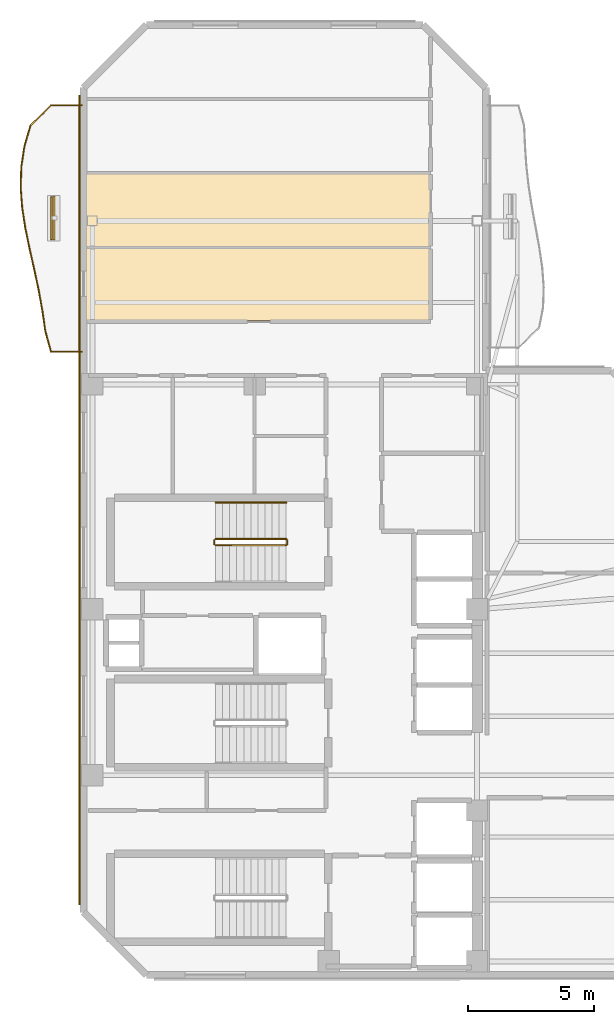
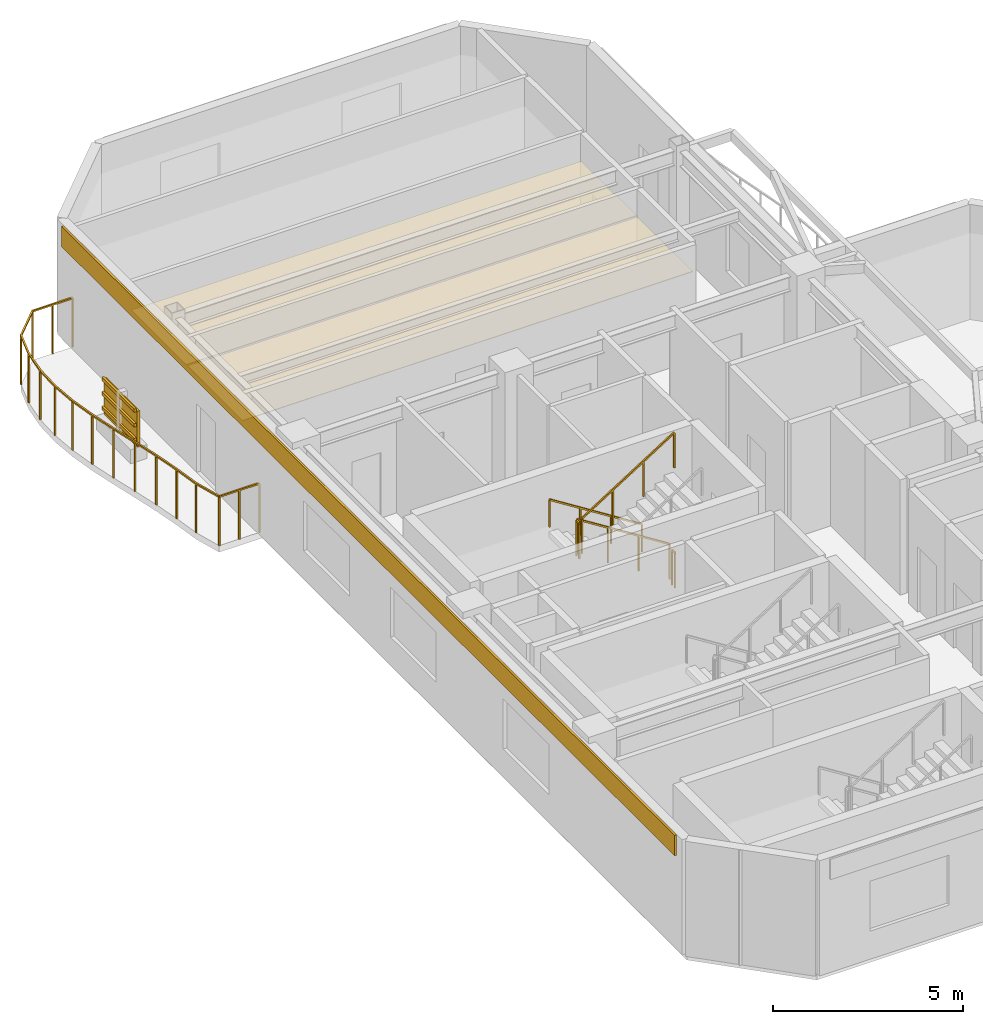
# One storey, part 7 of 8: 6 railings, 4 shading devices, 3 coverings.
"""IFC4 building model written with IfcOpenShell, lengths in metres."""

from ifc_helpers import new_model, si_unit, direction, frame, origin, origin_2d, place, context, subcontext, project, spatial, polyline, rectangle, outline, extrude, material, layer, layer_set, material_profile, profile_set, type_object, element, save


model = new_model("IFC4")

# Units and contexts
model_context = context("Model", 3, precision=1e-05, world=origin(), true_north=direction((0.0, 1.0)))
body_context = subcontext(model_context, "Body", "Model", "MODEL_VIEW")
ifc_project = project(units=[si_unit("LENGTHUNIT", "METRE"), si_unit("AREAUNIT", "SQUARE_METRE"), si_unit("VOLUMEUNIT", "CUBIC_METRE"), si_unit("PLANEANGLEUNIT", "RADIAN"), si_unit("MASSUNIT", "GRAM", prefix="KILO")], contexts=[model_context])

# Site, building, storey
site_placement = place(None, origin())
site = spatial("IfcSite", under=ifc_project, at=site_placement, CompositionType="ELEMENT")
building_placement = place(site_placement, origin())
building = spatial("IfcBuilding", under=site, at=building_placement, Name="Mawjaban Terraces University", CompositionType="ELEMENT")
storey_placement = place(building_placement, frame((0.0, 0.0, 263.800048828125)))
storey = spatial("IfcBuildingStorey", under=building, at=storey_placement, Name="L64", CompositionType="ELEMENT", Elevation=263.800048828125)

# Coverings
ifc_material_1 = material(Name="Acoustic mineral fibre ceiling tile", Category="masonry")
ifc_layer_1 = layer(ifc_material_1, 0.02001953125)
ifc_layer_set_1 = layer_set([ifc_layer_1], Name="Acoustic mineral fibre ceiling tile")
covering_type_1 = type_object("IfcCoveringType", Name="AcousticMineralCeiling_20", PredefinedType="CEILING", material=ifc_layer_set_1)
covering_1_placement = place(storey_placement, frame((0.0, 0.0, 2.75)))
element("IfcCovering", 1, at=covering_1_placement, inside=storey, type_object=covering_type_1, Name="L64 Departmental Office 6 Acoustic Ceiling", PredefinedType="CEILING", context=body_context, shape_type="SweptSolid", body=[
    extrude(outline(polyline([(22.114990234375, 28.919921875), (22.114990234375, 26.030029296875), (35.77001953125, 26.030029296875), (35.77001953125, 28.919921875), (22.114990234375, 28.919921875)])), origin(), (0.0, 0.0, 1.0), 0.02001953125),
])
covering_2_placement = place(storey_placement, frame((0.0, 0.0, 2.75)))
element("IfcCovering", 2, at=covering_2_placement, inside=storey, type_object=covering_type_1, Name="L64 Academic Workspace 7 Acoustic Ceiling", PredefinedType="CEILING", context=body_context, shape_type="SweptSolid", body=[
    extrude(outline(polyline([(22.114990234375, 31.8701171875), (22.114990234375, 28.97998046875), (35.77001953125, 28.97998046875), (35.77001953125, 31.8701171875), (22.114990234375, 31.8701171875)])), origin(), (0.0, 0.0, 1.0), 0.02001953125),
])

# Railings
ifc_material_2 = material(Name="Galvanised powder-coated steel S355", Category="steel")
railing_type_1 = type_object("IfcRailingType", Name="BalconyBalustrade_1600", PredefinedType="BALUSTRADE", material=ifc_material_2)
railing_1_placement = place(storey_placement, frame((21.919921875, 24.800048828125, 0.0)))
element("IfcRailing", 3, at=railing_1_placement, inside=storey, type_object=railing_type_1, Name="L64 Balcony Guardrail west", PredefinedType="BALUSTRADE", context=body_context, shape_type="SweptSolid", body=[
    extrude(rectangle(XDim=0.048095703125, YDim=0.048095703125, at=origin_2d()), frame((0.0, 0.0, 1.576171875), z_axis=(-1.0, 0.0, 0.0), x_axis=(0.0, -1.0, 0.0)), (0.0, 0.0, 1.0), 1.219970703125),
    extrude(rectangle(XDim=0.048095703125, YDim=0.048095703125, at=origin_2d()), frame((-1.219970703125, 0.0, 1.576171875), z_axis=(-0.266455104896, 0.963847330792, 0.0), x_axis=(-0.963847330792, -0.266455104896, 0.0)), (0.0, 0.0, 1.0), 0.84765625),
    extrude(rectangle(XDim=0.048095703125, YDim=0.048095703125, at=origin_2d()), frame((-1.44580078125, 0.81689453125, 1.576171875), z_axis=(-0.143286194137, 0.989681295453, 0.0), x_axis=(-0.989681295453, -0.143286194137, 0.0)), (0.0, 0.0, 1.0), 0.82470703125),
    extrude(rectangle(XDim=0.048095703125, YDim=0.048095703125, at=origin_2d()), frame((-1.56396484375, 1.633056640625, 1.576171875), z_axis=(-0.177073222803, 0.984197680228, 0.0), x_axis=(-0.984197680228, -0.177073222803, 0.0)), (0.0, 0.0, 1.0), 0.830078125),
    extrude(rectangle(XDim=0.048095703125, YDim=0.048095703125, at=origin_2d()), frame((-1.7109375, 2.449951171875, 1.576171875), z_axis=(-0.209529088731, 0.977802414077, 0.0), x_axis=(-0.977802414077, -0.209529088731, 0.0)), (0.0, 0.0, 1.0), 0.83544921875),
    extrude(rectangle(XDim=0.048095703125, YDim=0.048095703125, at=origin_2d()), frame((-1.885986328125, 3.266845703125, 1.576171875), z_axis=(-0.219741340729, 0.975558170062, 0.0), x_axis=(-0.975558170062, -0.219741340729, 0.0)), (0.0, 0.0, 1.0), 0.836669921875),
    extrude(rectangle(XDim=0.048095703125, YDim=0.048095703125, at=origin_2d()), frame((-2.06982421875, 4.0830078125, 1.576171875), z_axis=(-0.202808821947, 0.979218352432, 0.0), x_axis=(-0.979218352432, -0.202808821947, 0.0)), (0.0, 0.0, 1.0), 0.834228515625),
    extrude(rectangle(XDim=0.048095703125, YDim=0.048095703125, at=origin_2d()), frame((-2.239013671875, 4.89990234375, 1.576171875), z_axis=(-0.153521237288, 0.988145348469, 0.0), x_axis=(-0.988145348469, -0.153521237288, 0.0)), (0.0, 0.0, 1.0), 0.826904296875),
    extrude(rectangle(XDim=0.048095703125, YDim=0.048095703125, at=origin_2d()), frame((-2.365966796875, 5.717041015625, 1.576171875), z_axis=(-0.073410010148, 0.997301845185, 0.0), x_axis=(-0.997301845185, -0.073410010148, 0.0)), (0.0, 0.0, 1.0), 0.818115234375),
    extrude(rectangle(XDim=0.048095703125, YDim=0.048095703125, at=origin_2d()), frame((-2.426025390625, 6.532958984375, 1.576171875), z_axis=(0.03076844995, 0.999526539161, 0.0), x_axis=(-0.999526539161, 0.03076844995, 0.0)), (0.0, 0.0, 1.0), 0.8173828125),
    extrude(rectangle(XDim=0.048095703125, YDim=0.048095703125, at=origin_2d()), frame((-2.40087890625, 7.349853515625, 1.576171875), z_axis=(0.148903867636, 0.988851676544, 0.0), x_axis=(-0.988851676544, 0.148903867636, 0.0)), (0.0, 0.0, 1.0), 0.826416015625),
    extrude(rectangle(XDim=0.048095703125, YDim=0.048095703125, at=origin_2d()), frame((-2.27783203125, 8.1669921875, 1.576171875), z_axis=(0.282181865523, 0.959360930396, 0.0), x_axis=(-0.959360930396, 0.282181865523, 0.0)), (0.0, 0.0, 1.0), 0.8505859375),
    extrude(rectangle(XDim=0.048095703125, YDim=0.048095703125, at=origin_2d()), frame((-2.037841796875, 8.98291015625, 1.576171875), z_axis=(0.707423467015, 0.706789953463, 0.0), x_axis=(-0.706789953463, 0.707423467015, 0.0)), (0.0, 0.0, 1.0), 1.156005859375),
    extrude(rectangle(XDim=0.048095703125, YDim=0.048095703125, at=origin_2d()), frame((-1.219970703125, 9.800048828125, 1.576171875), z_axis=(1.0, 0.0, 0.0), x_axis=(0.0, 1.0, 0.0)), (0.0, 0.0, 1.0), 1.219970703125),
    extrude(rectangle(XDim=0.0419921875, YDim=0.0419921875, at=origin_2d()), origin(), (0.0, 0.0, 1.0), 1.552001953125),
    extrude(rectangle(XDim=0.0419921875, YDim=0.0419921875, at=origin_2d()), frame((-0.60986328125, 0.0, 0.0)), (0.0, 0.0, 1.0), 1.552001953125),
    extrude(rectangle(XDim=0.0419921875, YDim=0.0419921875, at=origin_2d()), frame((-1.219970703125, 0.0, 0.0)), (0.0, 0.0, 1.0), 1.552001953125),
    extrude(rectangle(XDim=0.0419921875, YDim=0.0419921875, at=origin_2d()), frame((-1.44580078125, 0.81689453125, 0.0)), (0.0, 0.0, 1.0), 1.552001953125),
    extrude(rectangle(XDim=0.0419921875, YDim=0.0419921875, at=origin_2d()), frame((-1.56396484375, 1.633056640625, 0.0)), (0.0, 0.0, 1.0), 1.552001953125),
    extrude(rectangle(XDim=0.0419921875, YDim=0.0419921875, at=origin_2d()), frame((-1.7109375, 2.449951171875, 0.0)), (0.0, 0.0, 1.0), 1.552001953125),
    extrude(rectangle(XDim=0.0419921875, YDim=0.0419921875, at=origin_2d()), frame((-1.885986328125, 3.266845703125, 0.0)), (0.0, 0.0, 1.0), 1.552001953125),
    extrude(rectangle(XDim=0.0419921875, YDim=0.0419921875, at=origin_2d()), frame((-2.06982421875, 4.0830078125, 0.0)), (0.0, 0.0, 1.0), 1.552001953125),
    extrude(rectangle(XDim=0.0419921875, YDim=0.0419921875, at=origin_2d()), frame((-2.239013671875, 4.89990234375, 0.0)), (0.0, 0.0, 1.0), 1.552001953125),
    extrude(rectangle(XDim=0.0419921875, YDim=0.0419921875, at=origin_2d()), frame((-2.365966796875, 5.717041015625, 0.0)), (0.0, 0.0, 1.0), 1.552001953125),
    extrude(rectangle(XDim=0.0419921875, YDim=0.0419921875, at=origin_2d()), frame((-2.426025390625, 6.532958984375, 0.0)), (0.0, 0.0, 1.0), 1.552001953125),
    extrude(rectangle(XDim=0.0419921875, YDim=0.0419921875, at=origin_2d()), frame((-2.40087890625, 7.349853515625, 0.0)), (0.0, 0.0, 1.0), 1.552001953125),
    extrude(rectangle(XDim=0.0419921875, YDim=0.0419921875, at=origin_2d()), frame((-2.27783203125, 8.1669921875, 0.0)), (0.0, 0.0, 1.0), 1.552001953125),
    extrude(rectangle(XDim=0.0419921875, YDim=0.0419921875, at=origin_2d()), frame((-2.037841796875, 8.98291015625, 0.0)), (0.0, 0.0, 1.0), 1.552001953125),
    extrude(rectangle(XDim=0.0419921875, YDim=0.0419921875, at=origin_2d()), frame((-1.219970703125, 9.800048828125, 0.0)), (0.0, 0.0, 1.0), 1.552001953125),
    extrude(rectangle(XDim=0.0419921875, YDim=0.0419921875, at=origin_2d()), frame((-0.60986328125, 9.800048828125, 0.0)), (0.0, 0.0, 1.0), 1.552001953125),
    extrude(rectangle(XDim=0.0419921875, YDim=0.0419921875, at=origin_2d()), frame((0.0, 9.800048828125, 0.0)), (0.0, 0.0, 1.0), 1.552001953125),
])
ifc_material_3 = material(Name="Brushed stainless steel 316", Category="steel")
railing_type_2 = type_object("IfcRailingType", Name="StairWallHandrail_900", PredefinedType="HANDRAIL", material=ifc_material_3)
railing_2_placement = place(storey_placement, frame((30.050048828125, 18.800048828125, 0.17724609375)))
element("IfcRailing", 4, at=railing_2_placement, inside=storey, type_object=railing_type_2, Name="L64 ST-2 stair handrail 1", PredefinedType="HANDRAIL", context=body_context, shape_type="SweptSolid", body=[
    extrude(rectangle(XDim=0.048095703125, YDim=0.048095703125, at=origin_2d()), frame((0.0, 0.0, 0.8759765625), z_axis=(-0.844908973607, 0.0, 0.534910110503), x_axis=(0.0, -1.0, 0.0)), (0.0, 0.0, 1.0), 3.31396484375),
    extrude(rectangle(XDim=0.0419921875, YDim=0.0419921875, at=origin_2d()), origin(), (0.0, 0.0, 1.0), 0.851806640625),
    extrude(rectangle(XDim=0.0419921875, YDim=0.0419921875, at=origin_2d()), frame((-0.933349609375, 0.0, 0.5908203125)), (0.0, 0.0, 1.0), 0.851806640625),
    extrude(rectangle(XDim=0.0419921875, YDim=0.0419921875, at=origin_2d()), frame((-1.86669921875, 0.0, 1.181884765625)), (0.0, 0.0, 1.0), 0.851806640625),
    extrude(rectangle(XDim=0.0419921875, YDim=0.0419921875, at=origin_2d()), frame((-2.800048828125, 0.0, 1.772705078125)), (0.0, 0.0, 1.0), 0.851806640625),
])
ifc_material_4 = material(Name="Galvanised painted steel S355", Category="steel")
railing_type_3 = type_object("IfcRailingType", Name="StairWellGuard_1150", PredefinedType="BALUSTRADE", material=ifc_material_4)
railing_3_placement = place(storey_placement, frame((30.050048828125, 17.35009765625, 0.17724609375)))
element("IfcRailing", 5, at=railing_3_placement, inside=storey, type_object=railing_type_3, Name="L64 ST-2 stair guard 1", PredefinedType="BALUSTRADE", context=body_context, shape_type="SweptSolid", body=[
    extrude(rectangle(XDim=0.048095703125, YDim=0.048095703125, at=origin_2d()), frame((0.0, 0.0, 1.1259765625), z_axis=(-0.844908973607, 0.0, 0.534910110503), x_axis=(0.0, -1.0, 0.0)), (0.0, 0.0, 1.0), 3.31396484375),
    extrude(rectangle(XDim=0.0419921875, YDim=0.0419921875, at=origin_2d()), origin(), (0.0, 0.0, 1.0), 1.101806640625),
    extrude(rectangle(XDim=0.0419921875, YDim=0.0419921875, at=origin_2d()), frame((-0.933349609375, 0.0, 0.5908203125)), (0.0, 0.0, 1.0), 1.101806640625),
    extrude(rectangle(XDim=0.0419921875, YDim=0.0419921875, at=origin_2d()), frame((-1.86669921875, 0.0, 1.181884765625)), (0.0, 0.0, 1.0), 1.101806640625),
    extrude(rectangle(XDim=0.0419921875, YDim=0.0419921875, at=origin_2d()), frame((-2.800048828125, 0.0, 1.772705078125)), (0.0, 0.0, 1.0), 1.101806640625),
])
railing_4_placement = place(storey_placement, frame((27.199951171875, 17.300048828125, 1.949951171875)))
element("IfcRailing", 6, at=railing_4_placement, inside=storey, type_object=railing_type_3, Name="L64 ST-2 stair guard 2", PredefinedType="BALUSTRADE", context=body_context, shape_type="SweptSolid", body=[
    extrude(rectangle(XDim=0.048095703125, YDim=0.048095703125, at=origin_2d()), frame((0.0, 0.0, 1.1259765625), z_axis=(0.0, -1.0, 0.0), x_axis=(1.0, 0.0, 0.0)), (0.0, 0.0, 1.0), 0.150146484375),
    extrude(rectangle(XDim=0.0419921875, YDim=0.0419921875, at=origin_2d()), origin(), (0.0, 0.0, 1.0), 1.101806640625),
    extrude(rectangle(XDim=0.0419921875, YDim=0.0419921875, at=origin_2d()), frame((0.0, -0.150146484375, 0.0)), (0.0, 0.0, 1.0), 1.101806640625),
])
railing_5_placement = place(storey_placement, frame((27.25, 17.10009765625, 2.127197265625)))
element("IfcRailing", 7, at=railing_5_placement, inside=storey, type_object=railing_type_3, Name="L64 ST-2 stair guard 3", PredefinedType="BALUSTRADE", context=body_context, shape_type="SweptSolid", body=[
    extrude(rectangle(XDim=0.048095703125, YDim=0.048095703125, at=origin_2d()), frame((0.0, 0.0, 1.1259765625), z_axis=(0.844908973607, 0.0, 0.534910110503), x_axis=(0.0, 1.0, 0.0)), (0.0, 0.0, 1.0), 3.31396484375),
    extrude(rectangle(XDim=0.0419921875, YDim=0.0419921875, at=origin_2d()), origin(), (0.0, 0.0, 1.0), 1.101806640625),
    extrude(rectangle(XDim=0.0419921875, YDim=0.0419921875, at=origin_2d()), frame((0.933349609375, 0.0, 0.5908203125)), (0.0, 0.0, 1.0), 1.101806640625),
    extrude(rectangle(XDim=0.0419921875, YDim=0.0419921875, at=origin_2d()), frame((1.86669921875, 0.0, 1.181884765625)), (0.0, 0.0, 1.0), 1.101806640625),
    extrude(rectangle(XDim=0.0419921875, YDim=0.0419921875, at=origin_2d()), frame((2.800048828125, 0.0, 1.772705078125)), (0.0, 0.0, 1.0), 1.101806640625),
])
railing_6_placement = place(storey_placement, frame((30.10009765625, 17.300048828125, 0.0)))
element("IfcRailing", 8, at=railing_6_placement, inside=storey, type_object=railing_type_3, Name="L64 ST-2 stair guard 4", PredefinedType="BALUSTRADE", context=body_context, shape_type="SweptSolid", body=[
    extrude(rectangle(XDim=0.048095703125, YDim=0.048095703125, at=origin_2d()), frame((0.0, 0.0, 1.1259765625), z_axis=(0.0, -1.0, 0.0), x_axis=(1.0, 0.0, 0.0)), (0.0, 0.0, 1.0), 0.150146484375),
    extrude(rectangle(XDim=0.0419921875, YDim=0.0419921875, at=origin_2d()), origin(), (0.0, 0.0, 1.0), 1.101806640625),
    extrude(rectangle(XDim=0.0419921875, YDim=0.0419921875, at=origin_2d()), frame((0.0, -0.150146484375, 0.0)), (0.0, 0.0, 1.0), 1.101806640625),
])

# Shading devices
ifc_material_5 = material(Name="Glazed architectural terracotta ceramic", Category="masonry")
ifc_material_profile = material_profile(ifc_material_5, rectangle(XDim=0.06494140625, YDim=0.110107421875, at=origin_2d()), Name="TBAG110X65")
ifc_profile_set = profile_set([ifc_material_profile], Name="Glazed architectural terracotta ceramic")
shading_device_type_1 = type_object("IfcShadingDeviceType", Name="TerracottaBaguette_110x65", PredefinedType="USERDEFINED", material=ifc_profile_set)
for number, where, z_axis, x_axis, name in (
    (9, (20.72900390625, 29.258056640625, 0.679931640625), (0.0, 1.0, 0.0), (-1.0, 0.0, 0.0), "L64 Horizontal Terracotta Baguette west.1"),
    (10, (20.72900390625, 29.258056640625, 1.14990234375), (0.0, 1.0, 0.0), (-1.0, 0.0, 0.0), "L64 Horizontal Terracotta Baguette west.2"),
    (11, (20.72900390625, 29.258056640625, 1.619873046875), (0.0, 1.0, 0.0), (-1.0, 0.0, 0.0), "L64 Horizontal Terracotta Baguette west.3"),
):
    element("IfcShadingDevice", number, at=place(storey_placement, frame(where, z_axis=z_axis, x_axis=x_axis)), inside=storey, type_object=shading_device_type_1, Name=name, ObjectType="BAGUETTE", PredefinedType="USERDEFINED", context=body_context, shape_type="SweptSolid", body=[
        extrude(rectangle(XDim=0.06494140625, YDim=0.110107421875, at=origin_2d()), origin(), (0.0, 0.0, 1.0), 1.699951171875),
    ])
ifc_layer_2 = layer(ifc_material_5, 0.080078125)
ifc_layer_set_2 = layer_set([ifc_layer_2], Name="Glazed architectural terracotta ceramic")
shading_device_type_2 = type_object("IfcShadingDeviceType", Name="TerracottaScreen_Perforated", PredefinedType="USERDEFINED", material=ifc_layer_set_2)
shading_device_placement = place(storey_placement, frame((20.81396484375, 30.10791015625, 0.43994140625), z_axis=(0.0, 0.0, 1.0), x_axis=(0.0, 1.0, 0.0)))
element("IfcShadingDevice", 12, at=shading_device_placement, inside=storey, type_object=shading_device_type_2, Name="L64 Balcony Perforated Terracotta Screen west", ObjectType="SCREEN", PredefinedType="USERDEFINED", context=body_context, shape_type="SweptSolid", body=[
    extrude(rectangle(XDim=1.75, YDim=0.080078125, at=origin_2d()), origin(), (0.0, 0.0, 1.0), 1.14990234375),
])

# Covering
ifc_material_6 = material(Name="Glazed architectural terracotta rainscreen", Category="masonry")
ifc_layer_3 = layer(ifc_material_6, 0.06005859375)
ifc_layer_set_3 = layer_set([ifc_layer_3], Name="Glazed architectural terracotta rainscreen")
covering_type_2 = type_object("IfcCoveringType", Name="TerracottaSpandrelCladding_60", PredefinedType="CLADDING", material=ifc_layer_set_3)
covering_3_placement = place(storey_placement, frame((21.8369140625, 18.89990234375, 3.014892578125), z_axis=(0.0, 0.0, 1.0), x_axis=(0.0, -1.0, 0.0)))
element("IfcCovering", 13, at=covering_3_placement, inside=storey, type_object=covering_type_2, Name="L64 Terracotta Spandrel Cladding 13", PredefinedType="CLADDING", context=body_context, shape_type="SweptSolid", body=[
    extrude(rectangle(XDim=32.199951171875, YDim=0.06005859375, at=origin_2d()), origin(), (0.0, 0.0, 1.0), 0.64990234375),
])

save(model, "model.ifc")
